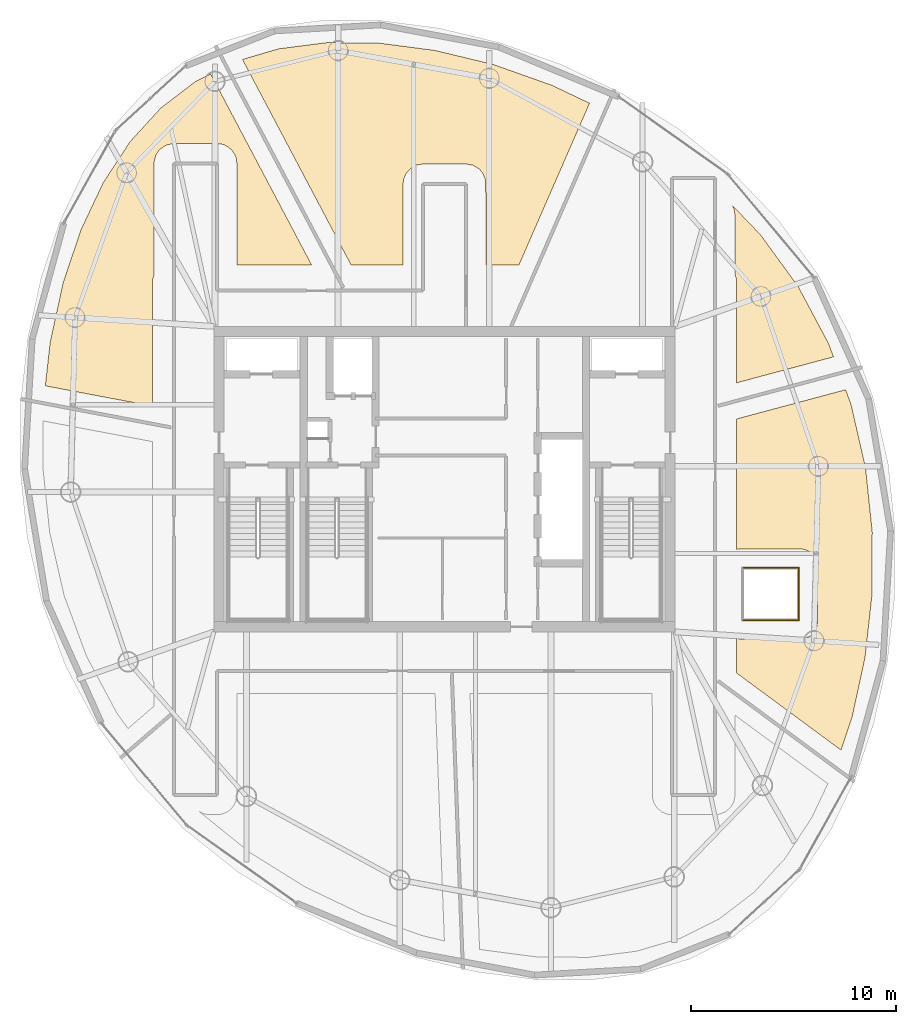
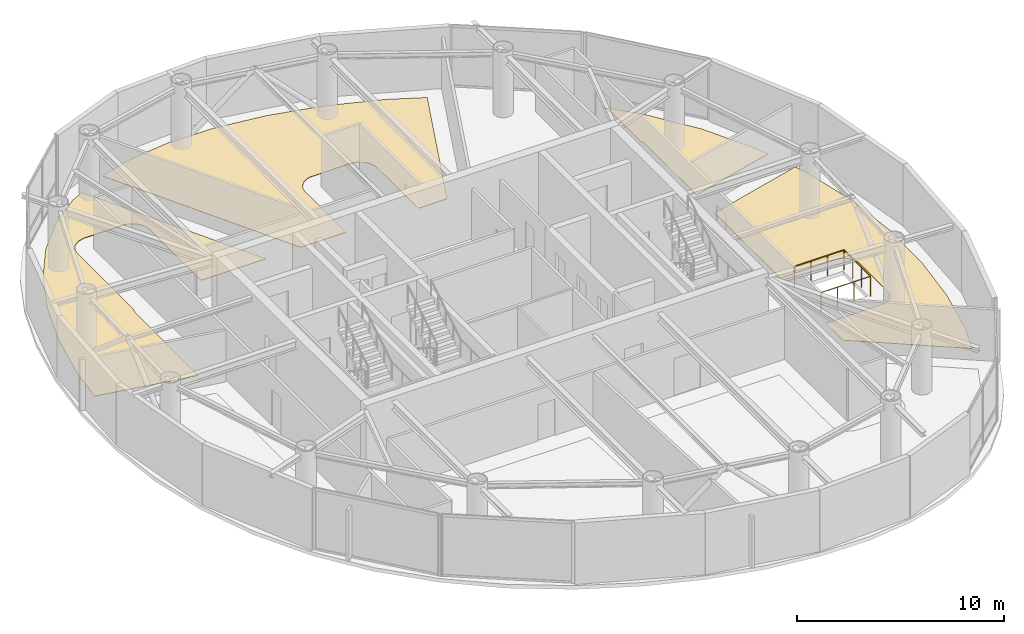
# One storey, part 17 of 17: 4 coverings, 3 railings.
"""IFC4 building model written with IfcOpenShell, lengths in metres."""

from ifc_helpers import new_model, si_unit, direction, frame, origin, origin_2d, place, context, subcontext, project, spatial, polyline, circle, outline, extrude, material, layer, layer_set, type_object, element, save


model = new_model("IFC4")

# Units and contexts
model_context = context("Model", 3, precision=1e-05, world=origin(), true_north=direction((0.0, 1.0)))
body_context = subcontext(model_context, "Body", "Model", "MODEL_VIEW")
ifc_project = project(units=[si_unit("LENGTHUNIT", "METRE"), si_unit("AREAUNIT", "SQUARE_METRE"), si_unit("VOLUMEUNIT", "CUBIC_METRE"), si_unit("PLANEANGLEUNIT", "RADIAN"), si_unit("MASSUNIT", "GRAM", prefix="KILO")], contexts=[model_context])

# Site, building, storey
site_placement = place(None, origin())
site = spatial("IfcSite", under=ifc_project, at=site_placement, CompositionType="ELEMENT")
building_placement = place(site_placement, origin())
building = spatial("IfcBuilding", under=site, at=building_placement, Name="Bramvorn Convention Spire", CompositionType="ELEMENT")
storey_placement = place(building_placement, frame((0.0, 0.0, 265.14990234375)))
storey = spatial("IfcBuildingStorey", under=building, at=storey_placement, Name="L67", CompositionType="ELEMENT", Elevation=265.14990234375)

# Coverings
ifc_material_1 = material(Name="Honed Dolomitic Limestone Terrazzo Flooring", Category="masonry")
ifc_layer = layer(ifc_material_1, 0.02490234375)
ifc_layer_set = layer_set([ifc_layer], Name="Honed Dolomitic Limestone Terrazzo Flooring - FLR-TERRAZZO-25")
covering_type = type_object("IfcCoveringType", Name="FLR-TERRAZZO-25", PredefinedType="FLOORING", material=ifc_layer_set)
covering_1_placement = place(storey_placement, origin())
element("IfcCovering", 1, at=covering_1_placement, inside=storey, type_object=covering_type, Name="L67 Executive Dining Salon 1 1 raised floor finish", PredefinedType="FLOORING", context=body_context, shape_type="SweptSolid", body=[
    extrude(outline(polyline([(52.117919921875, 39.165283203125), (52.1689453125, 38.892578125), (52.169921875, 35.95751953125), (52.233642578125, 35.765869140625), (52.25, 35.60009765625), (52.25, 30.6982421875), (56.971435546875, 31.96337890625), (56.73291015625, 32.609619140625), (55.252197265625, 35.385498046875), (53.401611328125, 37.929931640625), (52.017822265625, 39.3720703125), (52.117919921875, 39.165283203125)])), origin(), (0.0, 0.0, 1.0), 0.025146484375),
])
covering_2_placement = place(storey_placement, origin())
element("IfcCovering", 2, at=covering_2_placement, inside=storey, type_object=covering_type, Name="L67 Executive Dining Salon 2 2 raised floor finish", PredefinedType="FLOORING", context=body_context, shape_type="SweptSolid", body=[
    extrude(outline(polyline([(33.4384765625, 36.449951171875), (35.97998046875, 36.449951171875), (35.98095703125, 40.441650390625), (36.010498046875, 40.641357421875), (36.12109375, 40.90380859375), (36.376953125, 41.1826171875), (36.61767578125, 41.311279296875), (36.802001953125, 41.3583984375), (39.050048828125, 41.3701171875), (39.38232421875, 41.311279296875), (39.697021484375, 41.12255859375), (39.885009765625, 40.8935546875), (40.008544921875, 40.548095703125), (40.02001953125, 36.449951171875), (41.6318359375, 36.449951171875), (45.072021484375, 44.334716796875), (43.25341796875, 45.2041015625), (40.386962890625, 46.221435546875), (37.5517578125, 46.908203125), (34.8212890625, 47.264404296875), (32.25537109375, 47.29052734375), (29.895751953125, 46.988037109375), (28.142578125, 46.469970703125), (33.4384765625, 36.449951171875)])), origin(), (0.0, 0.0, 1.0), 0.025146484375),
])
covering_3_placement = place(storey_placement, origin())
element("IfcCovering", 3, at=covering_3_placement, inside=storey, type_object=covering_type, Name="L67 Butler Catering Kitchen 3 raised floor finish", PredefinedType="FLOORING", context=body_context, shape_type="SweptSolid", body=[
    extrude(outline(polyline([(18.76708984375, 32.685546875), (18.52880859375, 30.54931640625), (23.75, 29.561279296875), (23.75, 35.60009765625), (23.766357421875, 35.765869140625), (23.830078125, 35.95751953125), (23.83154296875, 41.45361328125), (23.920654296875, 41.809326171875), (24.085205078125, 42.0556640625), (24.390625, 42.279296875), (24.74658203125, 42.368408203125), (27.048095703125, 42.3583984375), (27.232421875, 42.311279296875), (27.472900390625, 42.1826171875), (27.62255859375, 42.047119140625), (27.774169921875, 41.820068359375), (27.84228515625, 41.6298828125), (27.8701171875, 41.39990234375), (27.8701171875, 36.449951171875), (31.515625, 36.449951171875), (26.5908203125, 45.768310546875), (25.855224609375, 45.398193359375), (24.15869140625, 44.101318359375), (22.659912109375, 42.457763671875), (21.357177734375, 40.46728515625), (20.259765625, 38.147705078125), (19.3876953125, 35.535888671875), (18.76708984375, 32.685546875)])), origin(), (0.0, 0.0, 1.0), 0.025146484375),
])
covering_4_placement = place(storey_placement, origin())
element("IfcCovering", 4, at=covering_4_placement, inside=storey, type_object=covering_type, Name="L67 Executive Strategy Suite 7 raised floor finish", PredefinedType="FLOORING", context=body_context, shape_type="SweptSolid", body=[
    extrude(outline(polyline([(52.25, 16.539306640625), (57.3369140625, 12.78515625), (57.885986328125, 14.429931640625), (58.506591796875, 17.2802734375), (58.843505859375, 20.302978515625), (58.8623046875, 23.423828125), (58.53173828125, 26.564697265625), (57.826416015625, 29.649658203125), (57.563232421875, 30.36181640625), (52.25, 28.938232421875), (52.25, 22.5751953125), (52.449951171875, 22.60009765625), (55.35009765625, 22.60009765625), (55.5966796875, 22.5634765625), (55.88916015625, 22.406982421875), (56.099609375, 22.150634765625), (56.19580078125, 21.833251953125), (56.199951171875, 19.050048828125), (56.13525390625, 18.724609375), (56.007080078125, 18.5107421875), (55.822265625, 18.34326171875), (55.515869140625, 18.21630859375), (52.449951171875, 18.199951171875), (52.25, 18.224853515625), (52.25, 16.539306640625)])), origin(), (0.0, 0.0, 1.0), 0.025146484375),
])

# Railings
ifc_material_2 = material(Name="Warm Bronze Perforated Metal & Glass Balustrade", Category="glass")
railing_type = type_object("IfcRailingType", Name="RL-POD-BALUSTRADE-1200", PredefinedType="BALUSTRADE", material=ifc_material_2)
railing_1_placement = place(storey_placement, frame((52.52001953125, 19.1201171875, 0.0)))
element("IfcRailing", 5, at=railing_1_placement, inside=storey, type_object=railing_type, Name="L67 Feature atrium void balustrade 1", PredefinedType="BALUSTRADE", context=body_context, shape_type="SweptSolid", body=[
    extrude(circle(Radius=0.02392578125, at=origin_2d()), frame((0.0, 0.0, 1.17578125), z_axis=(1.0, 0.0, 0.0), x_axis=(0.0, 1.0, 0.0)), (0.0, 0.0, 1.0), 2.760009765625),
    extrude(circle(Radius=0.02099609375, at=origin_2d()), origin(), (0.0, 0.0, 1.0), 1.15185546875),
    extrude(circle(Radius=0.02099609375, at=origin_2d()), frame((0.919921875, 0.0, 0.0)), (0.0, 0.0, 1.0), 1.15185546875),
    extrude(circle(Radius=0.02099609375, at=origin_2d()), frame((1.840087890625, 0.0, 0.0)), (0.0, 0.0, 1.0), 1.15185546875),
    extrude(circle(Radius=0.02099609375, at=origin_2d()), frame((2.760009765625, 0.0, 0.0)), (0.0, 0.0, 1.0), 1.15185546875),
])
railing_2_placement = place(storey_placement, frame((55.280029296875, 19.1201171875, 0.0)))
element("IfcRailing", 6, at=railing_2_placement, inside=storey, type_object=railing_type, Name="L67 Feature atrium void balustrade 2", PredefinedType="BALUSTRADE", context=body_context, shape_type="SweptSolid", body=[
    extrude(circle(Radius=0.02392578125, at=origin_2d()), frame((0.0, 0.0, 1.17578125), z_axis=(0.0, 1.0, 0.0), x_axis=(-1.0, 0.0, 0.0)), (0.0, 0.0, 1.0), 2.559814453125),
    extrude(circle(Radius=0.02099609375, at=origin_2d()), origin(), (0.0, 0.0, 1.0), 1.15185546875),
    extrude(circle(Radius=0.02099609375, at=origin_2d()), frame((0.0, 0.853271484375, 0.0)), (0.0, 0.0, 1.0), 1.15185546875),
    extrude(circle(Radius=0.02099609375, at=origin_2d()), frame((0.0, 1.70654296875, 0.0)), (0.0, 0.0, 1.0), 1.15185546875),
    extrude(circle(Radius=0.02099609375, at=origin_2d()), frame((0.0, 2.559814453125, 0.0)), (0.0, 0.0, 1.0), 1.15185546875),
])
railing_3_placement = place(storey_placement, frame((55.280029296875, 21.679931640625, 0.0)))
element("IfcRailing", 7, at=railing_3_placement, inside=storey, type_object=railing_type, Name="L67 Feature atrium void balustrade 3", PredefinedType="BALUSTRADE", context=body_context, shape_type="SweptSolid", body=[
    extrude(circle(Radius=0.02392578125, at=origin_2d()), frame((0.0, 0.0, 1.17578125), z_axis=(-1.0, 0.0, 0.0), x_axis=(0.0, -1.0, 0.0)), (0.0, 0.0, 1.0), 2.760009765625),
    extrude(circle(Radius=0.02099609375, at=origin_2d()), origin(), (0.0, 0.0, 1.0), 1.15185546875),
    extrude(circle(Radius=0.02099609375, at=origin_2d()), frame((-0.919921875, 0.0, 0.0)), (0.0, 0.0, 1.0), 1.15185546875),
    extrude(circle(Radius=0.02099609375, at=origin_2d()), frame((-1.840087890625, 0.0, 0.0)), (0.0, 0.0, 1.0), 1.15185546875),
    extrude(circle(Radius=0.02099609375, at=origin_2d()), frame((-2.760009765625, 0.0, 0.0)), (0.0, 0.0, 1.0), 1.15185546875),
])

save(model, "model.ifc")
